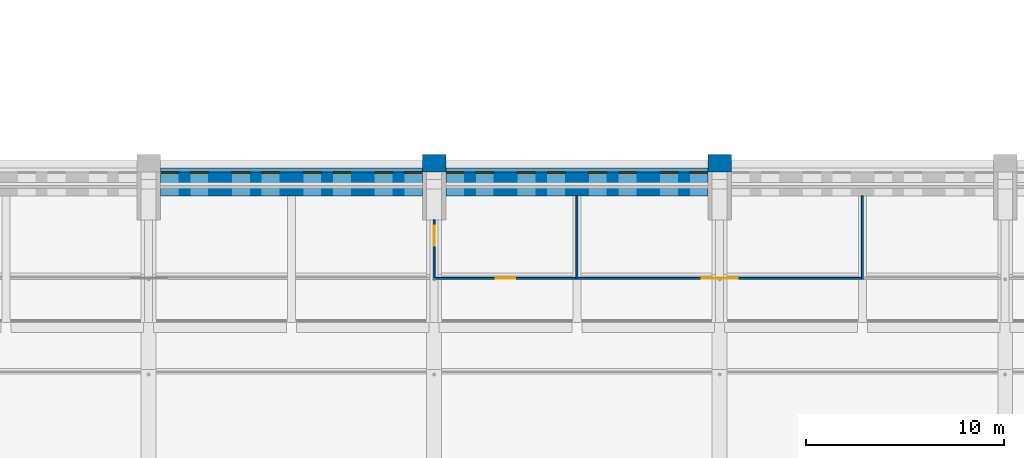
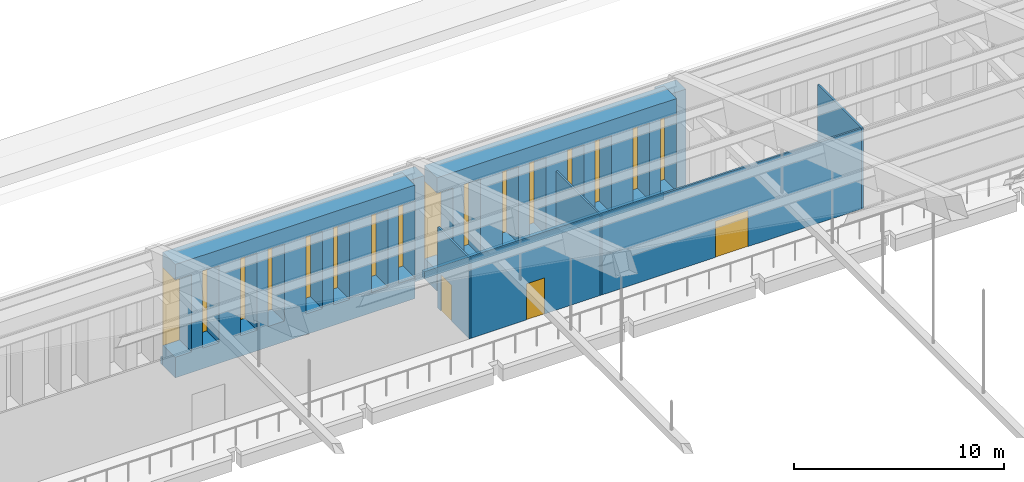
# One storey, part 133 of 149: 16 windows, 11 walls, 3 doors, 19 openings.
"""IFC4 building model written with IfcOpenShell, lengths in metres."""

from ifc_helpers import new_model, si_unit, direction, frame, frame_2d, origin, place, context, subcontext, project, spatial, rectangle, extrude, material, layer, layer_set, type_object, element, fill, save


model = new_model("IFC4")

# Units and contexts
model_context = context("Model", 3, precision=1e-05, world=origin(), true_north=direction((0.0, 1.0)))
body_context = subcontext(model_context, "Body", "Model", "MODEL_VIEW")
ifc_project = project(units=[si_unit("LENGTHUNIT", "METRE"), si_unit("AREAUNIT", "SQUARE_METRE"), si_unit("VOLUMEUNIT", "CUBIC_METRE"), si_unit("PLANEANGLEUNIT", "RADIAN"), si_unit("MASSUNIT", "GRAM", prefix="KILO")], contexts=[model_context])

# Site, building, storey
site_placement = place(None, origin())
site = spatial("IfcSite", under=ifc_project, at=site_placement, CompositionType="ELEMENT")
building_placement = place(site_placement, origin())
building = spatial("IfcBuilding", under=site, at=building_placement, Name="Alderwick Market Hall", CompositionType="ELEMENT")
storey_placement = place(building_placement, frame((0.0, 0.0, 9.60009765625)))
storey = spatial("IfcBuildingStorey", under=building, at=storey_placement, Name="L01", CompositionType="ELEMENT", Elevation=9.60009765625)

# Walls
ifc_material_1 = material(Name="Face brick masonry, ASTM C216 grade SW (f'm 17 MPa)", Category="masonry")
ifc_layer_1 = layer(ifc_material_1, 0.89990234375)
ifc_layer_set_1 = layer_set([ifc_layer_1], Name="Face brick masonry, ASTM C216 grade SW (f'm 17 MPa)")
wall_type_1 = type_object("IfcWallType", Name="H Buttress pier 900", PredefinedType="SOLIDWALL", material=ifc_layer_set_1)
wall_1_placement = place(storey_placement, frame((93.0, 109.050048828125, 0.0), z_axis=(0.0, 0.0, 1.0), x_axis=(1.0, 0.0, 0.0)))
element("IfcWall", 1, at=wall_1_placement, inside=storey, type_object=wall_type_1, Name="Buttress pier N4", PredefinedType="SOLIDWALL", context=body_context, shape_type="SweptSolid", body=[
    extrude(rectangle(XDim=1.199951171875, YDim=0.89990234375, at=frame_2d((0.60009765625, 0.0))), origin(), (0.0, 0.0, 1.0), 6.0),
])
wall_2_placement = place(storey_placement, frame((107.39990234375, 109.050048828125, 0.0), z_axis=(0.0, 0.0, 1.0), x_axis=(1.0, 0.0, 0.0)))
element("IfcWall", 2, at=wall_2_placement, inside=storey, type_object=wall_type_1, Name="Buttress pier N5", PredefinedType="SOLIDWALL", context=body_context, shape_type="SweptSolid", body=[
    extrude(rectangle(XDim=1.2001953125, YDim=0.89990234375, at=frame_2d((0.60009765625, 0.0))), origin(), (0.0, 0.0, 1.0), 6.0),
])

# Wall, openings, windows
ifc_material_2 = material(Name="Concrete 5000 psi (f'c 35 MPa)", Category="concrete")
ifc_layer_2 = layer(ifc_material_2, 1.199951171875)
ifc_layer_set_2 = layer_set([ifc_layer_2], Name="Concrete 5000 psi (f'c 35 MPa)")
wall_type_2 = type_object("IfcWallType", Name="H Long wall 1200", PredefinedType="SOLIDWALL", material=ifc_layer_set_2)
wall_3_placement = place(storey_placement, frame((79.800048828125, 108.0, 0.0), z_axis=(0.0, 0.0, 1.0), x_axis=(1.0, 0.0, 0.0)))
wall_3 = element("IfcWall", 3, at=wall_3_placement, inside=storey, type_object=wall_type_2, Name="Long wall N L01 3", PredefinedType="SOLIDWALL", context=body_context, shape_type="SweptSolid", body=[
    extrude(rectangle(XDim=13.199951171875, YDim=1.199951171875, at=frame_2d((6.60009765625, 0.0))), origin(), (0.0, 0.0, 1.0), 6.599853515625),
])
opening_1_placement = place(wall_3_placement, frame((0.0, 0.0, 1.199951171875)))
opening_1 = element("IfcOpeningElement", 4, at=opening_1_placement, cuts=wall_3, Name="Opening H-W177", PredefinedType="OPENING", context=body_context, shape_type="SweptSolid", body=[
    extrude(rectangle(XDim=0.89990234375, YDim=4.5, at=frame_2d((0.449951171875, 2.25))), frame((0.0, 0.60986328125, 0.0), z_axis=(0.0, -1.0, 0.0), x_axis=(1.0, 0.0, 0.0)), (0.0, 0.0, 1.0), 1.219970703125),
])
opening_2_placement = place(wall_3_placement, frame((1.5, 0.0, 1.199951171875)))
opening_2 = element("IfcOpeningElement", 5, at=opening_2_placement, cuts=wall_3, Name="Opening H-W178", PredefinedType="OPENING", context=body_context, shape_type="SweptSolid", body=[
    extrude(rectangle(XDim=0.89990234375, YDim=4.5, at=frame_2d((0.449951171875, 2.25))), frame((0.0, 0.60986328125, 0.0), z_axis=(0.0, -1.0, 0.0), x_axis=(1.0, 0.0, 0.0)), (0.0, 0.0, 1.0), 1.219970703125),
])
opening_3_placement = place(wall_3_placement, frame((3.60009765625, 0.0, 1.199951171875)))
opening_3 = element("IfcOpeningElement", 6, at=opening_3_placement, cuts=wall_3, Name="Opening H-W179", PredefinedType="OPENING", context=body_context, shape_type="SweptSolid", body=[
    extrude(rectangle(XDim=0.89990234375, YDim=4.5, at=frame_2d((0.449951171875, 2.25))), frame((0.0, 0.60986328125, 0.0), z_axis=(0.0, -1.0, 0.0), x_axis=(1.0, 0.0, 0.0)), (0.0, 0.0, 1.0), 1.219970703125),
])
opening_4_placement = place(wall_3_placement, frame((5.10009765625, 0.0, 1.199951171875)))
opening_4 = element("IfcOpeningElement", 7, at=opening_4_placement, cuts=wall_3, Name="Opening H-W180", PredefinedType="OPENING", context=body_context, shape_type="SweptSolid", body=[
    extrude(rectangle(XDim=0.89990234375, YDim=4.5, at=frame_2d((0.449951171875, 2.25))), frame((0.0, 0.60986328125, 0.0), z_axis=(0.0, -1.0, 0.0), x_axis=(1.0, 0.0, 0.0)), (0.0, 0.0, 1.0), 1.219970703125),
])
opening_5_placement = place(wall_3_placement, frame((7.199951171875, 0.0, 1.199951171875)))
opening_5 = element("IfcOpeningElement", 8, at=opening_5_placement, cuts=wall_3, Name="Opening H-W181", PredefinedType="OPENING", context=body_context, shape_type="SweptSolid", body=[
    extrude(rectangle(XDim=0.89990234375, YDim=4.5, at=frame_2d((0.449951171875, 2.25))), frame((0.0, 0.60986328125, 0.0), z_axis=(0.0, -1.0, 0.0), x_axis=(1.0, 0.0, 0.0)), (0.0, 0.0, 1.0), 1.219970703125),
])
opening_6_placement = place(wall_3_placement, frame((8.699951171875, 0.0, 1.199951171875)))
opening_6 = element("IfcOpeningElement", 9, at=opening_6_placement, cuts=wall_3, Name="Opening H-W182", PredefinedType="OPENING", context=body_context, shape_type="SweptSolid", body=[
    extrude(rectangle(XDim=0.89990234375, YDim=4.5, at=frame_2d((0.449951171875, 2.25))), frame((0.0, 0.60986328125, 0.0), z_axis=(0.0, -1.0, 0.0), x_axis=(1.0, 0.0, 0.0)), (0.0, 0.0, 1.0), 1.219970703125),
])
opening_7_placement = place(wall_3_placement, frame((10.800048828125, 0.0, 1.199951171875)))
opening_7 = element("IfcOpeningElement", 10, at=opening_7_placement, cuts=wall_3, Name="Opening H-W183", PredefinedType="OPENING", context=body_context, shape_type="SweptSolid", body=[
    extrude(rectangle(XDim=0.89990234375, YDim=4.5, at=frame_2d((0.449951171875, 2.25))), frame((0.0, 0.60986328125, 0.0), z_axis=(0.0, -1.0, 0.0), x_axis=(1.0, 0.0, 0.0)), (0.0, 0.0, 1.0), 1.219970703125),
])
opening_8_placement = place(wall_3_placement, frame((12.300048828125, 0.0, 1.199951171875)))
opening_8 = element("IfcOpeningElement", 11, at=opening_8_placement, cuts=wall_3, Name="Opening H-W184", PredefinedType="OPENING", context=body_context, shape_type="SweptSolid", body=[
    extrude(rectangle(XDim=0.89990234375, YDim=4.5, at=frame_2d((0.449951171875, 2.25))), frame((0.0, 0.60986328125, 0.0), z_axis=(0.0, -1.0, 0.0), x_axis=(1.0, 0.0, 0.0)), (0.0, 0.0, 1.0), 1.219970703125),
])
ifc_material_3 = material(Name="Aluminium frame with insulated glass", Category="aluminium")
window_type = type_object("IfcWindowType", Name="H Window 900x4500", PartitioningType="SINGLE_PANEL", PredefinedType="WINDOW", material=ifc_material_3)
window_1_placement = place(opening_1_placement, origin())
window_1 = element("IfcWindow", 12, at=window_1_placement, inside=storey, type_object=window_type, Name="Window H-W177", OverallHeight=4.5, OverallWidth=0.89990234375, PartitioningType="SINGLE_PANEL", PredefinedType="WINDOW", context=body_context, shape_type="SweptSolid", body=[
    extrude(rectangle(XDim=0.89990234375, YDim=4.5, at=frame_2d((0.449951171875, 2.25))), frame((0.0, 0.610107421875, 0.0), z_axis=(0.0, -1.0, 0.0), x_axis=(1.0, 0.0, 0.0)), (0.0, 0.0, 1.0), 0.06005859375),
])
fill(opening_1, window_1)
window_2_placement = place(opening_2_placement, origin())
window_2 = element("IfcWindow", 13, at=window_2_placement, inside=storey, type_object=window_type, Name="Window H-W178", OverallHeight=4.5, OverallWidth=0.89990234375, PartitioningType="SINGLE_PANEL", PredefinedType="WINDOW", context=body_context, shape_type="SweptSolid", body=[
    extrude(rectangle(XDim=0.89990234375, YDim=4.5, at=frame_2d((0.449951171875, 2.25))), frame((0.0, 0.610107421875, 0.0), z_axis=(0.0, -1.0, 0.0), x_axis=(1.0, 0.0, 0.0)), (0.0, 0.0, 1.0), 0.06005859375),
])
fill(opening_2, window_2)
window_3_placement = place(opening_3_placement, origin())
window_3 = element("IfcWindow", 14, at=window_3_placement, inside=storey, type_object=window_type, Name="Window H-W179", OverallHeight=4.5, OverallWidth=0.89990234375, PartitioningType="SINGLE_PANEL", PredefinedType="WINDOW", context=body_context, shape_type="SweptSolid", body=[
    extrude(rectangle(XDim=0.89990234375, YDim=4.5, at=frame_2d((0.449951171875, 2.25))), frame((0.0, 0.610107421875, 0.0), z_axis=(0.0, -1.0, 0.0), x_axis=(1.0, 0.0, 0.0)), (0.0, 0.0, 1.0), 0.06005859375),
])
fill(opening_3, window_3)
window_4_placement = place(opening_4_placement, origin())
window_4 = element("IfcWindow", 15, at=window_4_placement, inside=storey, type_object=window_type, Name="Window H-W180", OverallHeight=4.5, OverallWidth=0.89990234375, PartitioningType="SINGLE_PANEL", PredefinedType="WINDOW", context=body_context, shape_type="SweptSolid", body=[
    extrude(rectangle(XDim=0.89990234375, YDim=4.5, at=frame_2d((0.449951171875, 2.25))), frame((0.0, 0.610107421875, 0.0), z_axis=(0.0, -1.0, 0.0), x_axis=(1.0, 0.0, 0.0)), (0.0, 0.0, 1.0), 0.06005859375),
])
fill(opening_4, window_4)
window_5_placement = place(opening_5_placement, origin())
window_5 = element("IfcWindow", 16, at=window_5_placement, inside=storey, type_object=window_type, Name="Window H-W181", OverallHeight=4.5, OverallWidth=0.89990234375, PartitioningType="SINGLE_PANEL", PredefinedType="WINDOW", context=body_context, shape_type="SweptSolid", body=[
    extrude(rectangle(XDim=0.89990234375, YDim=4.5, at=frame_2d((0.449951171875, 2.25))), frame((0.0, 0.610107421875, 0.0), z_axis=(0.0, -1.0, 0.0), x_axis=(1.0, 0.0, 0.0)), (0.0, 0.0, 1.0), 0.06005859375),
])
fill(opening_5, window_5)
window_6_placement = place(opening_6_placement, origin())
window_6 = element("IfcWindow", 17, at=window_6_placement, inside=storey, type_object=window_type, Name="Window H-W182", OverallHeight=4.5, OverallWidth=0.89990234375, PartitioningType="SINGLE_PANEL", PredefinedType="WINDOW", context=body_context, shape_type="SweptSolid", body=[
    extrude(rectangle(XDim=0.89990234375, YDim=4.5, at=frame_2d((0.449951171875, 2.25))), frame((0.0, 0.610107421875, 0.0), z_axis=(0.0, -1.0, 0.0), x_axis=(1.0, 0.0, 0.0)), (0.0, 0.0, 1.0), 0.06005859375),
])
fill(opening_6, window_6)
window_7_placement = place(opening_7_placement, origin())
window_7 = element("IfcWindow", 18, at=window_7_placement, inside=storey, type_object=window_type, Name="Window H-W183", OverallHeight=4.5, OverallWidth=0.89990234375, PartitioningType="SINGLE_PANEL", PredefinedType="WINDOW", context=body_context, shape_type="SweptSolid", body=[
    extrude(rectangle(XDim=0.89990234375, YDim=4.5, at=frame_2d((0.449951171875, 2.25))), frame((0.0, 0.610107421875, 0.0), z_axis=(0.0, -1.0, 0.0), x_axis=(1.0, 0.0, 0.0)), (0.0, 0.0, 1.0), 0.06005859375),
])
fill(opening_7, window_7)
window_8_placement = place(opening_8_placement, origin())
window_8 = element("IfcWindow", 19, at=window_8_placement, inside=storey, type_object=window_type, Name="Window H-W184", OverallHeight=4.5, OverallWidth=0.89990234375, PartitioningType="SINGLE_PANEL", PredefinedType="WINDOW", context=body_context, shape_type="SweptSolid", body=[
    extrude(rectangle(XDim=0.89990234375, YDim=4.5, at=frame_2d((0.449951171875, 2.25))), frame((0.0, 0.610107421875, 0.0), z_axis=(0.0, -1.0, 0.0), x_axis=(1.0, 0.0, 0.0)), (0.0, 0.0, 1.0), 0.06005859375),
])
fill(opening_8, window_8)

wall_4_placement = place(storey_placement, frame((94.199951171875, 108.0, 0.0), z_axis=(0.0, 0.0, 1.0), x_axis=(1.0, 0.0, 0.0)))
wall_4 = element("IfcWall", 20, at=wall_4_placement, inside=storey, type_object=wall_type_2, Name="Long wall N L01 4", PredefinedType="SOLIDWALL", context=body_context, shape_type="SweptSolid", body=[
    extrude(rectangle(XDim=13.199951171875, YDim=1.199951171875, at=frame_2d((6.60009765625, 0.0))), origin(), (0.0, 0.0, 1.0), 6.599853515625),
])
opening_9_placement = place(wall_4_placement, frame((0.0, 0.0, 1.199951171875)))
opening_9 = element("IfcOpeningElement", 21, at=opening_9_placement, cuts=wall_4, Name="Opening H-W185", PredefinedType="OPENING", context=body_context, shape_type="SweptSolid", body=[
    extrude(rectangle(XDim=0.89990234375, YDim=4.5, at=frame_2d((0.449951171875, 2.25))), frame((0.0, 0.60986328125, 0.0), z_axis=(0.0, -1.0, 0.0), x_axis=(1.0, 0.0, 0.0)), (0.0, 0.0, 1.0), 1.219970703125),
])
opening_10_placement = place(wall_4_placement, frame((1.5, 0.0, 1.199951171875)))
opening_10 = element("IfcOpeningElement", 22, at=opening_10_placement, cuts=wall_4, Name="Opening H-W186", PredefinedType="OPENING", context=body_context, shape_type="SweptSolid", body=[
    extrude(rectangle(XDim=0.89990234375, YDim=4.5, at=frame_2d((0.449951171875, 2.25))), frame((0.0, 0.60986328125, 0.0), z_axis=(0.0, -1.0, 0.0), x_axis=(1.0, 0.0, 0.0)), (0.0, 0.0, 1.0), 1.219970703125),
])
opening_11_placement = place(wall_4_placement, frame((3.60009765625, 0.0, 1.199951171875)))
opening_11 = element("IfcOpeningElement", 23, at=opening_11_placement, cuts=wall_4, Name="Opening H-W187", PredefinedType="OPENING", context=body_context, shape_type="SweptSolid", body=[
    extrude(rectangle(XDim=0.89990234375, YDim=4.5, at=frame_2d((0.449951171875, 2.25))), frame((0.0, 0.60986328125, 0.0), z_axis=(0.0, -1.0, 0.0), x_axis=(1.0, 0.0, 0.0)), (0.0, 0.0, 1.0), 1.219970703125),
])
opening_12_placement = place(wall_4_placement, frame((5.10009765625, 0.0, 1.199951171875)))
opening_12 = element("IfcOpeningElement", 24, at=opening_12_placement, cuts=wall_4, Name="Opening H-W188", PredefinedType="OPENING", context=body_context, shape_type="SweptSolid", body=[
    extrude(rectangle(XDim=0.89990234375, YDim=4.5, at=frame_2d((0.449951171875, 2.25))), frame((0.0, 0.60986328125, 0.0), z_axis=(0.0, -1.0, 0.0), x_axis=(1.0, 0.0, 0.0)), (0.0, 0.0, 1.0), 1.219970703125),
])
opening_13_placement = place(wall_4_placement, frame((7.199951171875, 0.0, 1.199951171875)))
opening_13 = element("IfcOpeningElement", 25, at=opening_13_placement, cuts=wall_4, Name="Opening H-W189", PredefinedType="OPENING", context=body_context, shape_type="SweptSolid", body=[
    extrude(rectangle(XDim=0.89990234375, YDim=4.5, at=frame_2d((0.449951171875, 2.25))), frame((0.0, 0.60986328125, 0.0), z_axis=(0.0, -1.0, 0.0), x_axis=(1.0, 0.0, 0.0)), (0.0, 0.0, 1.0), 1.219970703125),
])
opening_14_placement = place(wall_4_placement, frame((8.699951171875, 0.0, 1.199951171875)))
opening_14 = element("IfcOpeningElement", 26, at=opening_14_placement, cuts=wall_4, Name="Opening H-W190", PredefinedType="OPENING", context=body_context, shape_type="SweptSolid", body=[
    extrude(rectangle(XDim=0.89990234375, YDim=4.5, at=frame_2d((0.449951171875, 2.25))), frame((0.0, 0.60986328125, 0.0), z_axis=(0.0, -1.0, 0.0), x_axis=(1.0, 0.0, 0.0)), (0.0, 0.0, 1.0), 1.219970703125),
])
opening_15_placement = place(wall_4_placement, frame((10.800048828125, 0.0, 1.199951171875)))
opening_15 = element("IfcOpeningElement", 27, at=opening_15_placement, cuts=wall_4, Name="Opening H-W191", PredefinedType="OPENING", context=body_context, shape_type="SweptSolid", body=[
    extrude(rectangle(XDim=0.89990234375, YDim=4.5, at=frame_2d((0.449951171875, 2.25))), frame((0.0, 0.60986328125, 0.0), z_axis=(0.0, -1.0, 0.0), x_axis=(1.0, 0.0, 0.0)), (0.0, 0.0, 1.0), 1.219970703125),
])
opening_16_placement = place(wall_4_placement, frame((12.300048828125, 0.0, 1.199951171875)))
opening_16 = element("IfcOpeningElement", 28, at=opening_16_placement, cuts=wall_4, Name="Opening H-W192", PredefinedType="OPENING", context=body_context, shape_type="SweptSolid", body=[
    extrude(rectangle(XDim=0.89990234375, YDim=4.5, at=frame_2d((0.449951171875, 2.25))), frame((0.0, 0.60986328125, 0.0), z_axis=(0.0, -1.0, 0.0), x_axis=(1.0, 0.0, 0.0)), (0.0, 0.0, 1.0), 1.219970703125),
])
window_9_placement = place(opening_9_placement, origin())
window_9 = element("IfcWindow", 29, at=window_9_placement, inside=storey, type_object=window_type, Name="Window H-W185", OverallHeight=4.5, OverallWidth=0.89990234375, PartitioningType="SINGLE_PANEL", PredefinedType="WINDOW", context=body_context, shape_type="SweptSolid", body=[
    extrude(rectangle(XDim=0.89990234375, YDim=4.5, at=frame_2d((0.449951171875, 2.25))), frame((0.0, 0.610107421875, 0.0), z_axis=(0.0, -1.0, 0.0), x_axis=(1.0, 0.0, 0.0)), (0.0, 0.0, 1.0), 0.06005859375),
])
fill(opening_9, window_9)
window_10_placement = place(opening_10_placement, origin())
window_10 = element("IfcWindow", 30, at=window_10_placement, inside=storey, type_object=window_type, Name="Window H-W186", OverallHeight=4.5, OverallWidth=0.89990234375, PartitioningType="SINGLE_PANEL", PredefinedType="WINDOW", context=body_context, shape_type="SweptSolid", body=[
    extrude(rectangle(XDim=0.89990234375, YDim=4.5, at=frame_2d((0.449951171875, 2.25))), frame((0.0, 0.610107421875, 0.0), z_axis=(0.0, -1.0, 0.0), x_axis=(1.0, 0.0, 0.0)), (0.0, 0.0, 1.0), 0.06005859375),
])
fill(opening_10, window_10)
window_11_placement = place(opening_11_placement, origin())
window_11 = element("IfcWindow", 31, at=window_11_placement, inside=storey, type_object=window_type, Name="Window H-W187", OverallHeight=4.5, OverallWidth=0.89990234375, PartitioningType="SINGLE_PANEL", PredefinedType="WINDOW", context=body_context, shape_type="SweptSolid", body=[
    extrude(rectangle(XDim=0.89990234375, YDim=4.5, at=frame_2d((0.449951171875, 2.25))), frame((0.0, 0.610107421875, 0.0), z_axis=(0.0, -1.0, 0.0), x_axis=(1.0, 0.0, 0.0)), (0.0, 0.0, 1.0), 0.06005859375),
])
fill(opening_11, window_11)
window_12_placement = place(opening_12_placement, origin())
window_12 = element("IfcWindow", 32, at=window_12_placement, inside=storey, type_object=window_type, Name="Window H-W188", OverallHeight=4.5, OverallWidth=0.89990234375, PartitioningType="SINGLE_PANEL", PredefinedType="WINDOW", context=body_context, shape_type="SweptSolid", body=[
    extrude(rectangle(XDim=0.89990234375, YDim=4.5, at=frame_2d((0.449951171875, 2.25))), frame((0.0, 0.610107421875, 0.0), z_axis=(0.0, -1.0, 0.0), x_axis=(1.0, 0.0, 0.0)), (0.0, 0.0, 1.0), 0.06005859375),
])
fill(opening_12, window_12)
window_13_placement = place(opening_13_placement, origin())
window_13 = element("IfcWindow", 33, at=window_13_placement, inside=storey, type_object=window_type, Name="Window H-W189", OverallHeight=4.5, OverallWidth=0.89990234375, PartitioningType="SINGLE_PANEL", PredefinedType="WINDOW", context=body_context, shape_type="SweptSolid", body=[
    extrude(rectangle(XDim=0.89990234375, YDim=4.5, at=frame_2d((0.449951171875, 2.25))), frame((0.0, 0.610107421875, 0.0), z_axis=(0.0, -1.0, 0.0), x_axis=(1.0, 0.0, 0.0)), (0.0, 0.0, 1.0), 0.06005859375),
])
fill(opening_13, window_13)
window_14_placement = place(opening_14_placement, origin())
window_14 = element("IfcWindow", 34, at=window_14_placement, inside=storey, type_object=window_type, Name="Window H-W190", OverallHeight=4.5, OverallWidth=0.89990234375, PartitioningType="SINGLE_PANEL", PredefinedType="WINDOW", context=body_context, shape_type="SweptSolid", body=[
    extrude(rectangle(XDim=0.89990234375, YDim=4.5, at=frame_2d((0.449951171875, 2.25))), frame((0.0, 0.610107421875, 0.0), z_axis=(0.0, -1.0, 0.0), x_axis=(1.0, 0.0, 0.0)), (0.0, 0.0, 1.0), 0.06005859375),
])
fill(opening_14, window_14)
window_15_placement = place(opening_15_placement, origin())
window_15 = element("IfcWindow", 35, at=window_15_placement, inside=storey, type_object=window_type, Name="Window H-W191", OverallHeight=4.5, OverallWidth=0.89990234375, PartitioningType="SINGLE_PANEL", PredefinedType="WINDOW", context=body_context, shape_type="SweptSolid", body=[
    extrude(rectangle(XDim=0.89990234375, YDim=4.5, at=frame_2d((0.449951171875, 2.25))), frame((0.0, 0.610107421875, 0.0), z_axis=(0.0, -1.0, 0.0), x_axis=(1.0, 0.0, 0.0)), (0.0, 0.0, 1.0), 0.06005859375),
])
fill(opening_15, window_15)
window_16_placement = place(opening_16_placement, origin())
window_16 = element("IfcWindow", 36, at=window_16_placement, inside=storey, type_object=window_type, Name="Window H-W192", OverallHeight=4.5, OverallWidth=0.89990234375, PartitioningType="SINGLE_PANEL", PredefinedType="WINDOW", context=body_context, shape_type="SweptSolid", body=[
    extrude(rectangle(XDim=0.89990234375, YDim=4.5, at=frame_2d((0.449951171875, 2.25))), frame((0.0, 0.610107421875, 0.0), z_axis=(0.0, -1.0, 0.0), x_axis=(1.0, 0.0, 0.0)), (0.0, 0.0, 1.0), 0.06005859375),
])
fill(opening_16, window_16)

# Wall, opening, door
ifc_material_4 = material(Name="Gypsum board partition")
ifc_layer_3 = layer(ifc_material_4, 0.10009765625)
ifc_layer_set_3 = layer_set([ifc_layer_3], Name="Gypsum board partition")
wall_type_3 = type_object("IfcWallType", Name="H Partition 100", PredefinedType="PARTITIONING", material=ifc_layer_set_3)
wall_5_placement = place(storey_placement, frame((93.60009765625, 106.199951171875, 0.0), z_axis=(0.0, 0.0, 1.0), x_axis=(0.0, -1.0, 0.0)))
wall_5 = element("IfcWall", 37, at=wall_5_placement, inside=storey, type_object=wall_type_3, Name="Partition", PredefinedType="PARTITIONING", context=body_context, shape_type="SweptSolid", body=[
    extrude(rectangle(XDim=3.0, YDim=0.10009765625, at=frame_2d((1.5, 0.0))), origin(), (0.0, 0.0, 1.0), 4.699951171875),
])
opening_17_placement = place(wall_5_placement, frame((0.300048828125, 0.0, 0.0)))
opening_17 = element("IfcOpeningElement", 38, at=opening_17_placement, cuts=wall_5, Name="Opening H-D091", PredefinedType="OPENING", context=body_context, shape_type="SweptSolid", body=[
    extrude(rectangle(XDim=1.0, YDim=2.10009765625, at=frame_2d((0.5, 1.050048828125))), frame((0.0, 0.06005859375, 0.0), z_axis=(0.0, -1.0, 0.0), x_axis=(1.0, 0.0, 0.0)), (0.0, 0.0, 1.0), 0.1201171875),
])
ifc_material_5 = material(Name="Timber, solid core", Category="wood")
door_type_1 = type_object("IfcDoorType", Name="H Room door 1000x2100", OperationType="SINGLE_SWING_LEFT", PredefinedType="DOOR", material=ifc_material_5)
door_1_placement = place(opening_17_placement, origin())
door_1 = element("IfcDoor", 39, at=door_1_placement, inside=storey, type_object=door_type_1, Name="Door H-D091", OperationType="SINGLE_SWING_LEFT", OverallHeight=2.10009765625, OverallWidth=1.0, PredefinedType="DOOR", context=body_context, shape_type="SweptSolid", body=[
    extrude(rectangle(XDim=1.0, YDim=2.10009765625, at=frame_2d((0.5, 1.050048828125))), frame((0.0, 0.02490234375, 0.0), z_axis=(0.0, -1.0, 0.0), x_axis=(1.0, 0.0, 0.0)), (0.0, 0.0, 1.0), 0.050048828125),
])
fill(opening_17, door_1)

# Walls
for number, where, z_axis, x_axis, name in (
    (40, (100.800048828125, 107.39990234375, 0.0), (0.0, 0.0, 1.0), (0.0, -1.0, 0.0), "Partition"),
    (41, (115.199951171875, 107.39990234375, 0.0), (0.0, 0.0, 1.0), (0.0, -1.0, 0.0), "Partition"),
):
    element("IfcWall", number, at=place(storey_placement, frame(where, z_axis=z_axis, x_axis=x_axis)), inside=storey, type_object=wall_type_3, Name=name, PredefinedType="PARTITIONING", context=body_context, shape_type="SweptSolid", body=[
        extrude(rectangle(XDim=4.199951171875, YDim=0.10009765625, at=frame_2d((2.10009765625, 0.0))), origin(), (0.0, 0.0, 1.0), 4.699951171875),
    ])

# Wall, opening, door
wall_6_placement = place(storey_placement, frame((93.64990234375, 103.25, 0.0), z_axis=(0.0, 0.0, 1.0), x_axis=(1.0, 0.0, 0.0)))
wall_6 = element("IfcWall", 42, at=wall_6_placement, inside=storey, type_object=wall_type_3, Name="Partition", PredefinedType="PARTITIONING", context=body_context, shape_type="SweptSolid", body=[
    extrude(rectangle(XDim=7.10009765625, YDim=0.10009765625, at=frame_2d((3.550048828125, 0.0))), origin(), (0.0, 0.0, 1.0), 4.699951171875),
])
opening_18_placement = place(wall_6_placement, frame((3.050048828125, 0.0, 0.0)))
opening_18 = element("IfcOpeningElement", 43, at=opening_18_placement, cuts=wall_6, Name="Opening H-D090", PredefinedType="OPENING", context=body_context, shape_type="SweptSolid", body=[
    extrude(rectangle(XDim=1.0, YDim=2.10009765625, at=frame_2d((0.5, 1.050048828125))), frame((0.0, 0.06005859375, 0.0), z_axis=(0.0, -1.0, 0.0), x_axis=(1.0, 0.0, 0.0)), (0.0, 0.0, 1.0), 0.1201171875),
])
door_2_placement = place(opening_18_placement, origin())
door_2 = element("IfcDoor", 44, at=door_2_placement, inside=storey, type_object=door_type_1, Name="Door H-D090", OperationType="SINGLE_SWING_LEFT", OverallHeight=2.10009765625, OverallWidth=1.0, PredefinedType="DOOR", context=body_context, shape_type="SweptSolid", body=[
    extrude(rectangle(XDim=1.0, YDim=2.10009765625, at=frame_2d((0.5, 1.050048828125))), frame((0.0, 0.02490234375, 0.0), z_axis=(0.0, -1.0, 0.0), x_axis=(1.0, 0.0, 0.0)), (0.0, 0.0, 1.0), 0.050048828125),
])
fill(opening_18, door_2)

wall_7_placement = place(storey_placement, frame((100.85009765625, 103.25, 0.0), z_axis=(0.0, 0.0, 1.0), x_axis=(1.0, 0.0, 0.0)))
wall_7 = element("IfcWall", 45, at=wall_7_placement, inside=storey, type_object=wall_type_3, Name="Partition", PredefinedType="PARTITIONING", context=body_context, shape_type="SweptSolid", body=[
    extrude(rectangle(XDim=14.2998046875, YDim=0.10009765625, at=frame_2d((7.14990234375, 0.0))), origin(), (0.0, 0.0, 1.0), 4.699951171875),
])
opening_19_placement = place(wall_7_placement, frame((6.25, 0.0, 0.0)))
opening_19 = element("IfcOpeningElement", 46, at=opening_19_placement, cuts=wall_7, Name="Opening H-D092", PredefinedType="OPENING", context=body_context, shape_type="SweptSolid", body=[
    extrude(rectangle(XDim=1.800048828125, YDim=2.10009765625, at=frame_2d((0.89990234375, 1.050048828125))), frame((0.0, 0.06005859375, 0.0), z_axis=(0.0, -1.0, 0.0), x_axis=(1.0, 0.0, 0.0)), (0.0, 0.0, 1.0), 0.1201171875),
])
ifc_material_6 = material(Name="Timber and glass", Category="wood")
door_type_2 = type_object("IfcDoorType", Name="H Double door 1800x2100", OperationType="DOUBLE_DOOR_SINGLE_SWING", PredefinedType="DOOR", material=ifc_material_6)
door_3_placement = place(opening_19_placement, origin())
door_3 = element("IfcDoor", 47, at=door_3_placement, inside=storey, type_object=door_type_2, Name="Door H-D092", OperationType="DOUBLE_DOOR_SINGLE_SWING", OverallHeight=2.10009765625, OverallWidth=1.800048828125, PredefinedType="DOOR", context=body_context, shape_type="SweptSolid", body=[
    extrude(rectangle(XDim=1.800048828125, YDim=2.10009765625, at=frame_2d((0.89990234375, 1.050048828125))), frame((0.0, 0.02490234375, 0.0), z_axis=(0.0, -1.0, 0.0), x_axis=(1.0, 0.0, 0.0)), (0.0, 0.0, 1.0), 0.050048828125),
])
fill(opening_19, door_3)

# Walls
ifc_material_7 = material(Name="Cast stone 5000 psi (f'c 35 MPa), ASTM C1364", Category="masonry")
ifc_layer_4 = layer(ifc_material_7, 0.199951171875)
ifc_layer_set_4 = layer_set([ifc_layer_4], Name="Cast stone 5000 psi (f'c 35 MPa), ASTM C1364")
wall_type_4 = type_object("IfcWallType", Name="H String course 200", PredefinedType="SOLIDWALL", material=ifc_layer_set_4)
for number, where, z_axis, x_axis, name in (
    (48, (79.800048828125, 108.699951171875, 0.0), (0.0, 0.0, 1.0), (1.0, 0.0, 0.0), "String course N3"),
    (49, (94.199951171875, 108.699951171875, 0.0), (0.0, 0.0, 1.0), (1.0, 0.0, 0.0), "String course N4"),
):
    element("IfcWall", number, at=place(storey_placement, frame(where, z_axis=z_axis, x_axis=x_axis)), inside=storey, type_object=wall_type_4, Name=name, PredefinedType="SOLIDWALL", context=body_context, shape_type="SweptSolid", body=[
        extrude(rectangle(XDim=13.199951171875, YDim=0.199951171875, at=frame_2d((6.60009765625, 0.0))), origin(), (0.0, 0.0, 1.0), 0.39990234375),
    ])

save(model, "model.ifc")
